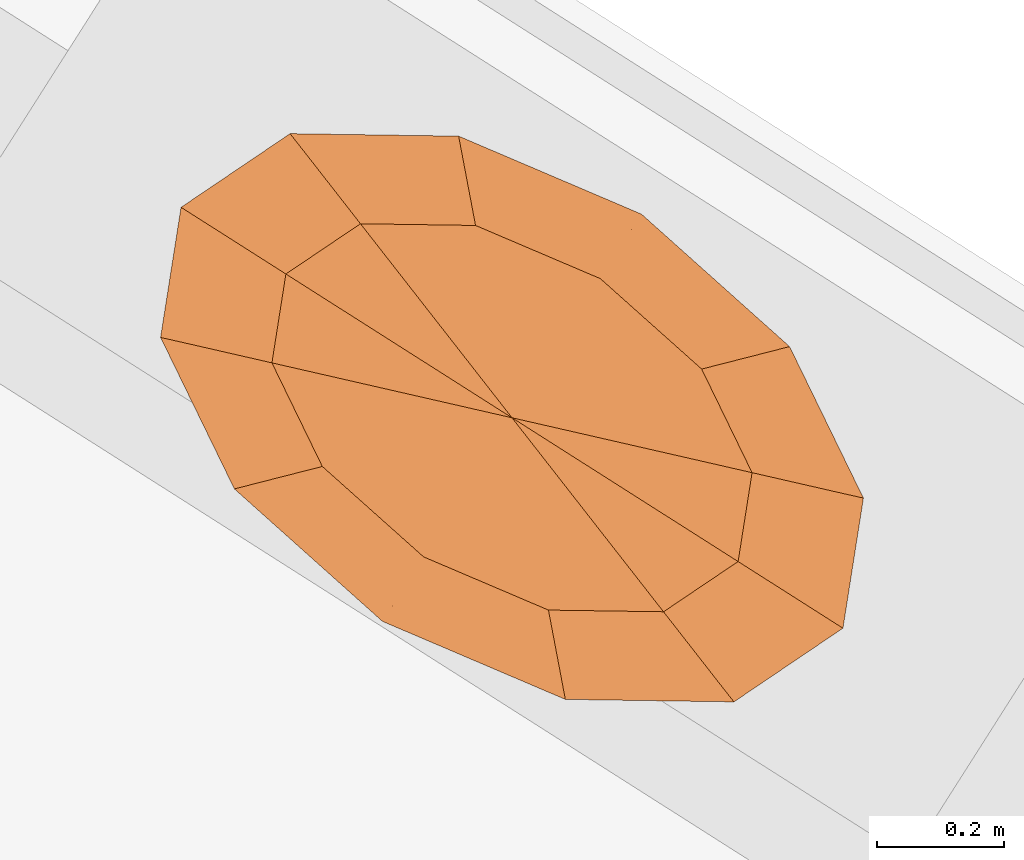
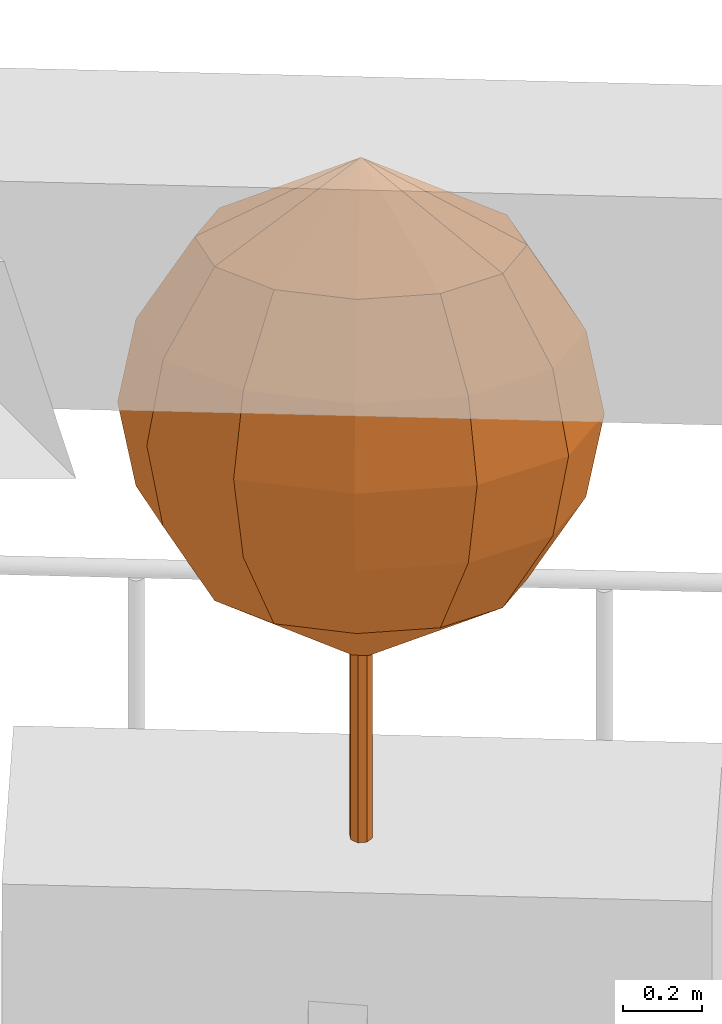
# One storey, part 12 of 12: 1 geographic element.
"""IFC4 building model written with IfcOpenShell, lengths in metres."""

from ifc_helpers import new_model, si_unit, direction, frame, origin, place, context, subcontext, project, spatial, faceted_brep, material, constituent, constituent_set, type_object, element, save


model = new_model("IFC4")

# Units and contexts
model_context = context("Model", 3, precision=1e-05, world=origin(), true_north=direction((0.0, 1.0)))
body_context = subcontext(model_context, "Body", "Model", "MODEL_VIEW")
ifc_project = project(units=[si_unit("LENGTHUNIT", "METRE"), si_unit("AREAUNIT", "SQUARE_METRE"), si_unit("VOLUMEUNIT", "CUBIC_METRE"), si_unit("PLANEANGLEUNIT", "RADIAN"), si_unit("MASSUNIT", "GRAM", prefix="KILO")], contexts=[model_context])

# Site, building, storey
site_placement = place(None, origin())
site = spatial("IfcSite", under=ifc_project, at=site_placement, CompositionType="ELEMENT")
building_placement = place(site_placement, origin())
building = spatial("IfcBuilding", under=site, at=building_placement, Name="Taillehof Tower", CompositionType="ELEMENT")
storey_placement = place(building_placement, frame((0.0, 0.0, 102.10009765625)))
storey = spatial("IfcBuildingStorey", under=building, at=storey_placement, Name="L28", CompositionType="ELEMENT", Elevation=102.10009765625)

# Geographic element
ifc_material_1 = material(Name="Tree bark", Category="timber")
ifc_constituent_1 = constituent(ifc_material_1, Name="Trunk", Category="timber")
ifc_material_2 = material(Name="Tree foliage")
ifc_constituent_2 = constituent(ifc_material_2, Name="Crown")
ifc_constituent_set = constituent_set(constituents=[ifc_constituent_1, ifc_constituent_2], Name="Tree TR1 Columnar hornbeam")
geographic_element_type = type_object("IfcGeographicElementType", Name="Tree TR1 Columnar hornbeam", PredefinedType="USERDEFINED", material=ifc_constituent_set)
geographic_element_placement = place(storey_placement, frame((15.759521484375, 18.814453125, 0.75)))
element("IfcGeographicElement", 1, at=geographic_element_placement, inside=storey, type_object=geographic_element_type, Name="Tree TR1 Columnar hornbeam", ObjectType="TREE", PredefinedType="USERDEFINED", context=body_context, shape_type="Brep", body=[
    faceted_brep([(0.030029296875, 0.0, 0.0), (0.021240234375, 0.021240234375, 0.0), (0.021240234375, 0.021240234375, 1.092529296875), (0.030029296875, 0.0, 1.092529296875), (0.0, 0.030029296875, 0.0), (0.0, 0.030029296875, 1.092529296875), (-0.021240234375, 0.021240234375, 0.0), (-0.021240234375, 0.021240234375, 1.092529296875), (-0.030029296875, 0.0, 0.0), (-0.030029296875, 0.0, 1.092529296875), (-0.021240234375, -0.021240234375, 0.0), (-0.021240234375, -0.021240234375, 1.092529296875), (0.0, -0.030029296875, 0.0), (0.0, -0.030029296875, 1.092529296875), (0.021240234375, -0.021240234375, 0.0), (0.021240234375, -0.021240234375, 1.092529296875)], [[[0, 1, 2, 3]], [[1, 4, 5, 2]], [[4, 6, 7, 5]], [[6, 8, 9, 7]], [[8, 10, 11, 9]], [[10, 12, 13, 11]], [[12, 14, 15, 13]], [[14, 0, 3, 15]], [[14, 12, 10, 8, 6, 4, 1, 0]], [[3, 2, 5, 7, 9, 11, 13, 15]]]),
    faceted_brep([(0.0, 0.0, 0.550048828125), (-0.3779296875, 0.08642578125, 0.808349609375), (-0.35595703125, 0.226318359375, 0.808349609375), (-0.298583984375, -0.07666015625, 0.808349609375), (-0.13916015625, -0.218994140625, 0.808349609375), (0.057373046875, -0.302734375, 0.808349609375), (0.238525390625, -0.305419921875, 0.808349609375), (0.35595703125, -0.226318359375, 0.808349609375), (0.3779296875, -0.08642578125, 0.808349609375), (0.298583984375, 0.07666015625, 0.808349609375), (0.13916015625, 0.218994140625, 0.808349609375), (-0.057373046875, 0.302734375, 0.808349609375), (-0.238525390625, 0.305419921875, 0.808349609375), (-0.51123046875, 0.116943359375, 1.066650390625), (-0.4814453125, 0.30615234375, 1.066650390625), (-0.40380859375, -0.103515625, 1.066650390625), (-0.1884765625, -0.29638671875, 1.066650390625), (0.07763671875, -0.40966796875, 1.066650390625), (0.32275390625, -0.413330078125, 1.066650390625), (0.4814453125, -0.30615234375, 1.066650390625), (0.51123046875, -0.116943359375, 1.066650390625), (0.40380859375, 0.103515625, 1.066650390625), (0.1884765625, 0.29638671875, 1.066650390625), (-0.07763671875, 0.40966796875, 1.066650390625), (-0.32275390625, 0.413330078125, 1.066650390625), (-0.55322265625, 0.12646484375, 1.324951171875), (-0.52099609375, 0.331298828125, 1.324951171875), (-0.43701171875, -0.112060546875, 1.324951171875), (-0.203857421875, -0.320556640625, 1.324951171875), (0.083984375, -0.443359375, 1.324951171875), (0.349365234375, -0.447265625, 1.324951171875), (0.52099609375, -0.331298828125, 1.324951171875), (0.55322265625, -0.12646484375, 1.324951171875), (0.43701171875, 0.112060546875, 1.324951171875), (0.203857421875, 0.320556640625, 1.324951171875), (-0.083984375, 0.443359375, 1.324951171875), (-0.349365234375, 0.447265625, 1.324951171875), (-0.51123046875, 0.116943359375, 1.583251953125), (-0.4814453125, 0.30615234375, 1.583251953125), (-0.40380859375, -0.103515625, 1.583251953125), (-0.1884765625, -0.29638671875, 1.583251953125), (0.07763671875, -0.40966796875, 1.583251953125), (0.32275390625, -0.413330078125, 1.583251953125), (0.4814453125, -0.30615234375, 1.583251953125), (0.51123046875, -0.116943359375, 1.583251953125), (0.40380859375, 0.103515625, 1.583251953125), (0.1884765625, 0.29638671875, 1.583251953125), (-0.07763671875, 0.40966796875, 1.583251953125), (-0.32275390625, 0.413330078125, 1.583251953125), (-0.3779296875, 0.08642578125, 1.841552734375), (-0.35595703125, 0.226318359375, 1.841552734375), (-0.298583984375, -0.07666015625, 1.841552734375), (-0.13916015625, -0.218994140625, 1.841552734375), (0.057373046875, -0.302734375, 1.841552734375), (0.238525390625, -0.305419921875, 1.841552734375), (0.35595703125, -0.226318359375, 1.841552734375), (0.3779296875, -0.08642578125, 1.841552734375), (0.298583984375, 0.07666015625, 1.841552734375), (0.13916015625, 0.218994140625, 1.841552734375), (-0.057373046875, 0.302734375, 1.841552734375), (-0.238525390625, 0.305419921875, 1.841552734375), (0.0, 0.0, 2.10009765625)], [[[0, 1, 2]], [[0, 3, 1]], [[0, 4, 3]], [[0, 5, 4]], [[0, 6, 5]], [[0, 7, 6]], [[0, 8, 7]], [[0, 9, 8]], [[0, 10, 9]], [[0, 11, 10]], [[0, 12, 11]], [[0, 2, 12]], [[2, 1, 13, 14]], [[1, 3, 15, 13]], [[3, 4, 16, 15]], [[4, 5, 17, 16]], [[5, 6, 18, 17]], [[6, 7, 19, 18]], [[7, 8, 20, 19]], [[8, 9, 21, 20]], [[9, 10, 22, 21]], [[10, 11, 23, 22]], [[11, 12, 24, 23]], [[12, 2, 14, 24]], [[14, 13, 25, 26]], [[13, 15, 27, 25]], [[15, 16, 28, 27]], [[16, 17, 29, 28]], [[17, 18, 30, 29]], [[18, 19, 31, 30]], [[19, 20, 32, 31]], [[20, 21, 33, 32]], [[21, 22, 34, 33]], [[22, 23, 35, 34]], [[23, 24, 36, 35]], [[24, 14, 26, 36]], [[26, 25, 37, 38]], [[25, 27, 39, 37]], [[27, 28, 40, 39]], [[28, 29, 41, 40]], [[29, 30, 42, 41]], [[30, 31, 43, 42]], [[31, 32, 44, 43]], [[32, 33, 45, 44]], [[33, 34, 46, 45]], [[34, 35, 47, 46]], [[35, 36, 48, 47]], [[36, 26, 38, 48]], [[38, 37, 49, 50]], [[37, 39, 51, 49]], [[39, 40, 52, 51]], [[40, 41, 53, 52]], [[41, 42, 54, 53]], [[42, 43, 55, 54]], [[43, 44, 56, 55]], [[44, 45, 57, 56]], [[45, 46, 58, 57]], [[46, 47, 59, 58]], [[47, 48, 60, 59]], [[48, 38, 50, 60]], [[50, 49, 61]], [[49, 51, 61]], [[51, 52, 61]], [[52, 53, 61]], [[53, 54, 61]], [[54, 55, 61]], [[55, 56, 61]], [[56, 57, 61]], [[57, 58, 61]], [[58, 59, 61]], [[59, 60, 61]], [[60, 50, 61]]]),
])

save(model, "model.ifc")
